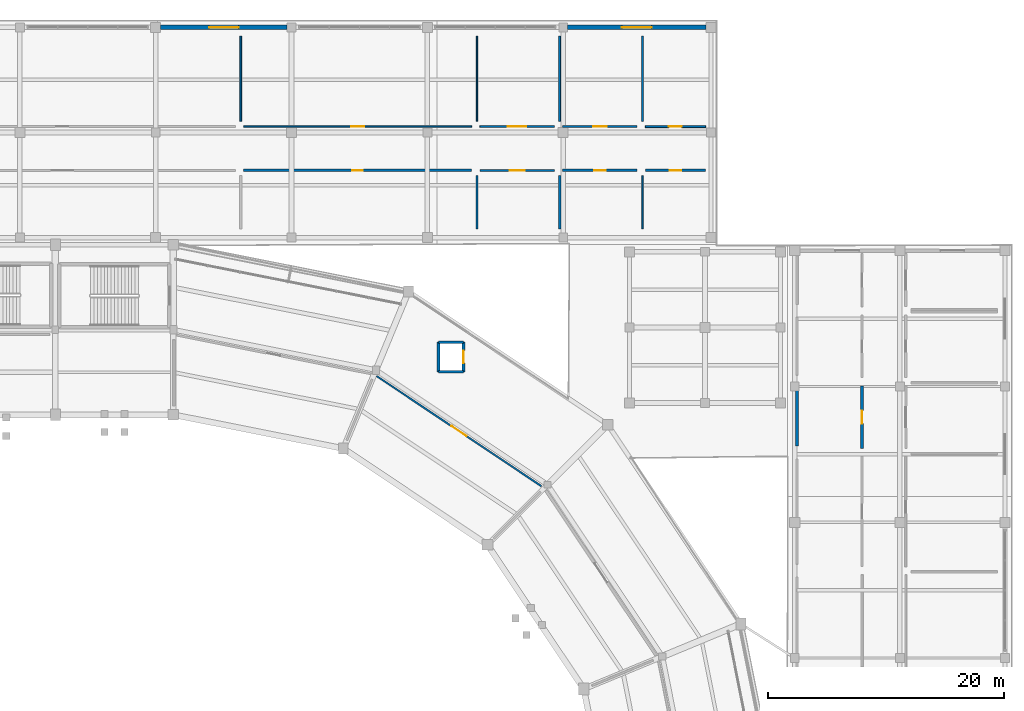
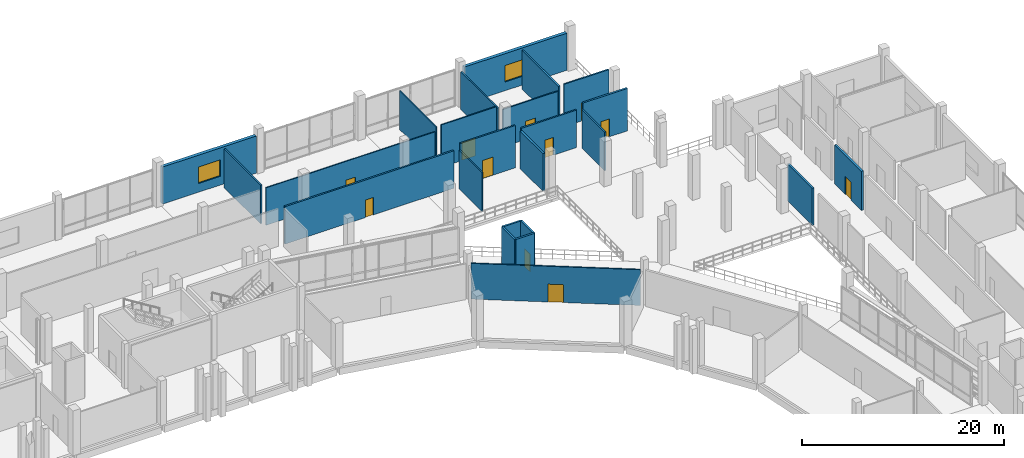
# One storey, part 84 of 114: 24 walls, 11 doors, 2 windows, 13 openings.
"""IFC4 building model written with IfcOpenShell, lengths in metres."""

import ifcopenshell
import ifcopenshell.guid

model = None  # the IFC model being written
_history = None  # IfcOwnerHistory: only IFC2X3 demands one
_inside = {}  # id of a spatial element -> (the spatial element, [elements in it])
_under = {}  # id of a project, library or spatial element -> (it, [spatial elements below it])
_declared = {}  # id of a project -> (the project, [libraries it declares])
_typed = {}  # id of a type object -> (the type object, [elements of that type])
_made_of = {}  # id of a material, layer set ... -> (it, [elements and type objects made of it])


def new_model(schema):
    """Start an empty IFC model of exactly this schema.

    Asked for "IFC4X3", IfcOpenShell would pick the latest addendum, in which some entities
    have other attributes; the version numbers below select the first issue.
    IFC2X3 requires an IfcOwnerHistory on every rooted entity: one is made here for all.
    """
    global model, _history
    if schema == "IFC4X3":
        model = ifcopenshell.file(schema_version=(4, 3, 0, 0))
    else:
        model = ifcopenshell.file(schema=schema)
    _inside.clear()
    _under.clear()
    _declared.clear()
    _typed.clear()
    _made_of.clear()
    _history = None
    if model.schema == "IFC2X3":
        org = make("IfcOrganization", Name="unknown")
        user = make(
            "IfcPersonAndOrganization",
            ThePerson=make("IfcPerson", FamilyName="unknown"),
            TheOrganization=org,
        )
        app = make(
            "IfcApplication",
            ApplicationDeveloper=org,
            Version="unknown",
            ApplicationFullName="unknown",
            ApplicationIdentifier="unknown",
        )
        _history = make(
            "IfcOwnerHistory",
            OwningUser=user,
            OwningApplication=app,
            ChangeAction="ADDED",
            CreationDate=0,
        )
    return model


def make(cls, **values):
    """One entity of the class cls with the attributes given. An attribute that is None is left unset."""
    return model.create_entity(
        cls, **{name: value for name, value in values.items() if value is not None}
    )


def rooted(cls, **values):
    """An entity with a GlobalId (a new one), such as an element, a storey or a relation."""
    return make(cls, GlobalId=ifcopenshell.guid.new(), OwnerHistory=_history, **values)


def si_unit(unit_type, name, prefix=None):
    """IfcSIUnit, for example si_unit("LENGTHUNIT", "METRE", prefix="MILLI")."""
    return make("IfcSIUnit", UnitType=unit_type, Prefix=prefix, Name=name)


def assignment(units):
    """IfcUnitAssignment: the units of a project."""
    return None if units is None else make("IfcUnitAssignment", Units=units)


def point(xyz):
    """IfcCartesianPoint."""
    return None if xyz is None else make("IfcCartesianPoint", Coordinates=xyz)


def direction(xyz):
    """IfcDirection."""
    return None if xyz is None else make("IfcDirection", DirectionRatios=xyz)


def frame(location, z_axis=None, x_axis=None):
    """IfcAxis2Placement3D, a coordinate frame: its origin and axes. An axis left out is left unset."""
    return make(
        "IfcAxis2Placement3D",
        Location=point(location),
        Axis=direction(z_axis),
        RefDirection=direction(x_axis),
    )


def frame_2d(location, x_axis=None):
    """IfcAxis2Placement2D, a coordinate frame in the plane: its origin and x axis."""
    return make(
        "IfcAxis2Placement2D", Location=point(location), RefDirection=direction(x_axis)
    )


def origin():
    """The frame at (0, 0, 0) with its axes left unset."""
    return frame((0.0, 0.0, 0.0))


def place(relative_to, where):
    """IfcLocalPlacement: puts the frame where relative to a parent placement (None: the world)."""
    return make(
        "IfcLocalPlacement", PlacementRelTo=relative_to, RelativePlacement=where
    )


def context(
    kind, dimensions, precision=None, world=None, true_north=None, identifier=None
):
    """IfcGeometricRepresentationContext, for example the 3D "Model" context."""
    return make(
        "IfcGeometricRepresentationContext",
        ContextIdentifier=identifier,
        ContextType=kind,
        CoordinateSpaceDimension=dimensions,
        Precision=precision,
        WorldCoordinateSystem=world,
        TrueNorth=true_north,
    )


def subcontext(parent, identifier, kind, view, scale=None):
    """IfcGeometricRepresentationSubContext, for example "Body" below "Model"."""
    return make(
        "IfcGeometricRepresentationSubContext",
        ContextIdentifier=identifier,
        ContextType=kind,
        ParentContext=parent,
        TargetScale=scale,
        TargetView=view,
    )


def project(units=None, contexts=None):
    """IfcProject with its units and contexts."""
    return rooted(
        "IfcProject",
        Name="project",
        RepresentationContexts=contexts,
        UnitsInContext=assignment(units),
    )


def spatial(cls, under=None, at=None, **own):
    """A site, building, storey or space (cls), placed at a placement, below another one or the project."""
    s = rooted(cls, ObjectPlacement=at, **own)
    if under is not None:
        _under.setdefault(under.id(), (under, []))[1].append(s)
    return s


def profile(cls, at=None, kind="AREA", **sizes):
    """A parametric profile (cls). Its sizes go by their IFC names, for example OverallWidth=200.0."""
    return make(cls, ProfileType=kind, Position=at, **sizes)


def rectangle(**sizes):
    """IfcRectangleProfileDef."""
    return profile("IfcRectangleProfileDef", **sizes)


def extrude(swept, where, along, depth):
    """IfcExtrudedAreaSolid: the profile swept, set in the frame where, extruded along a direction by depth."""
    return make(
        "IfcExtrudedAreaSolid",
        SweptArea=swept,
        Position=where,
        ExtrudedDirection=direction(along),
        Depth=depth,
    )


def shape(context_of_items, identifier, shape_type, items):
    """IfcShapeRepresentation: the items that make up one representation, for example the "Body"."""
    return make(
        "IfcShapeRepresentation",
        ContextOfItems=context_of_items,
        RepresentationIdentifier=identifier,
        RepresentationType=shape_type,
        Items=items,
    )


def material(Name=None, Category=None):
    """IfcMaterial."""
    return make("IfcMaterial", Name=Name, Category=Category)


def layer(
    of_material, thickness, ventilated=None, Name=None, Category=None, Priority=None
):
    """IfcMaterialLayer: one layer of a wall or slab, of a material (None: an air gap)."""
    return make(
        "IfcMaterialLayer",
        Material=of_material,
        LayerThickness=thickness,
        IsVentilated=ventilated,
        Name=Name,
        Category=Category,
        Priority=Priority,
    )


def layer_set(layers, Name=None):
    """IfcMaterialLayerSet."""
    return make("IfcMaterialLayerSet", MaterialLayers=layers, LayerSetName=Name)


def made_of(thing, what):
    """Note that an element or type object is made of a material, layer set ...; save() writes the relation."""
    if what is not None:
        _made_of.setdefault(what.id(), (what, []))[1].append(thing)
    return thing


def type_object(cls, material=None, **own):
    """A type object (cls), such as IfcWallType, which elements share."""
    return made_of(rooted(cls, **own), material)


def element(
    cls,
    number,
    at=None,
    inside=None,
    cuts=None,
    type_object=None,
    material=None,
    context=None,
    identifier="Body",
    shape_type=None,
    held_by="IfcProductDefinitionShape",
    body=None,
    shapes=None,
    **own,
):
    """One element of the class cls, such as IfcWall. Its Tag is "e" and its number.

    at: its placement. inside: the storey or other place that contains it. cuts: it is an
    opening in that element (IfcRelVoidsElement). A single representation is given by context,
    identifier, shape_type and body (its items); several are given by shapes. held_by: the class
    of the entity that holds the representations. save() writes the other relations.
    """
    e = rooted(cls, Tag="e%d" % number, ObjectPlacement=at, **own)
    if body is not None:
        shapes = [shape(context, identifier, shape_type, body)]
    if shapes is not None:
        e.Representation = make(held_by, Representations=shapes)
    if inside is not None:
        _inside.setdefault(inside.id(), (inside, []))[1].append(e)
    if cuts is not None:
        rooted(
            "IfcRelVoidsElement", RelatingBuildingElement=cuts, RelatedOpeningElement=e
        )
    if type_object is not None:
        _typed.setdefault(type_object.id(), (type_object, []))[1].append(e)
    return made_of(e, material)


def fill(opening, filler):
    """IfcRelFillsElement: the door or window that sits in an opening."""
    return rooted(
        "IfcRelFillsElement",
        RelatingOpeningElement=opening,
        RelatedBuildingElement=filler,
    )


def aggregate(whole, parts):
    """IfcRelAggregates: a whole, such as a stair, and the parts it consists of."""
    return rooted("IfcRelAggregates", RelatingObject=whole, RelatedObjects=parts)


def save(model, path):
    """Write the relations noted so far, then the file.

    IfcRelAggregates (storeys below a building ...), IfcRelContainedInSpatialStructure (elements
    in a storey), IfcRelDefinesByType, IfcRelAssociatesMaterial and IfcRelDeclares: one each for
    every whole, place, type object, material and project.
    """
    for whole, parts in _under.values():
        aggregate(whole, parts)
    for where, things in _inside.values():
        rooted(
            "IfcRelContainedInSpatialStructure",
            RelatedElements=things,
            RelatingStructure=where,
        )
    for kind, things in _typed.values():
        rooted("IfcRelDefinesByType", RelatedObjects=things, RelatingType=kind)
    for what, things in _made_of.values():
        rooted("IfcRelAssociatesMaterial", RelatedObjects=things, RelatingMaterial=what)
    for by, libraries in _declared.values():
        rooted("IfcRelDeclares", RelatingContext=by, RelatedDefinitions=libraries)
    model.write(path)


model = new_model("IFC4")

# Units and contexts
model_context = context("Model", 3, precision=1e-05, world=origin(), true_north=direction((0.0, 1.0)))
body_context = subcontext(model_context, "Body", "Model", "MODEL_VIEW")
ifc_project = project(units=[si_unit("LENGTHUNIT", "METRE"), si_unit("AREAUNIT", "SQUARE_METRE"), si_unit("VOLUMEUNIT", "CUBIC_METRE"), si_unit("PLANEANGLEUNIT", "RADIAN"), si_unit("MASSUNIT", "GRAM", prefix="KILO")], contexts=[model_context])

# Site, building, storey
site_placement = place(None, origin())
site = spatial("IfcSite", under=ifc_project, at=site_placement, CompositionType="ELEMENT")
building_placement = place(site_placement, origin())
building = spatial("IfcBuilding", under=site, at=building_placement, Name="Candeia Ridge Stadium", CompositionType="ELEMENT")
storey_placement = place(building_placement, frame((0.0, 0.0, 5.39990234375)))
storey = spatial("IfcBuildingStorey", under=building, at=storey_placement, Name="L01", CompositionType="ELEMENT", Elevation=5.39990234375)

# Wall, opening, door
ifc_material_1 = material(Name="Gypsum Metal-Stud Partition", Category="gypsum")
ifc_layer_1 = layer(ifc_material_1, 0.14501953125, Name="Gypsum Metal-Stud Partition", Category="gypsum")
ifc_layer_set_1 = layer_set([ifc_layer_1], Name="Gypsum Metal-Stud Partition")
wall_type_1 = type_object("IfcWallType", Name="Athlete Recovery Partition 145", PredefinedType="PARTITIONING", material=ifc_layer_set_1)
wall_1_placement = place(storey_placement, frame((173.25, 157.0, 0.0), z_axis=(0.0, 0.0, 1.0), x_axis=(-1.0, 0.0, 0.0)))
wall_1 = element("IfcWall", 1, at=wall_1_placement, inside=storey, type_object=wall_type_1, Name="Interior partition PT-L01-0266", PredefinedType="PARTITIONING", context=body_context, shape_type="SweptSolid", body=[
    extrude(rectangle(XDim=6.300048828125, YDim=0.14501953125, at=frame_2d((3.14990234375, 0.0))), origin(), (0.0, 0.0, 1.0), 5.1201171875),
])
opening_1_placement = place(wall_1_placement, frame((2.375, 0.0, 0.0)))
opening_1 = element("IfcOpeningElement", 2, at=opening_1_placement, cuts=wall_1, Name="Opening ID14", PredefinedType="OPENING", context=body_context, shape_type="SweptSolid", body=[
    extrude(rectangle(XDim=1.550048828125, YDim=2.14990234375, at=frame_2d((0.77490234375, 1.074951171875))), frame((0.0, 0.08251953125, 0.0), z_axis=(0.0, -1.0, 0.0), x_axis=(1.0, 0.0, 0.0)), (0.0, 0.0, 1.0), 0.1650390625),
])
ifc_material_2 = material(Name="Brushed Stainless Steel", Category="steel")
door_type_1 = type_object("IfcDoorType", Name="Catering Kitchen Double Door 1550x2150", OperationType="NOTDEFINED", PredefinedType="DOOR", material=ifc_material_2)
door_1_placement = place(opening_1_placement, origin())
door_1 = element("IfcDoor", 3, at=door_1_placement, inside=storey, type_object=door_type_1, Name="Interior room door D-L01-0138", OperationType="DOUBLE_DOOR_SINGLE_SWING", OverallHeight=2.14990234375, OverallWidth=1.550048828125, PredefinedType="DOOR", context=body_context, shape_type="SweptSolid", body=[
    extrude(rectangle(XDim=1.550048828125, YDim=2.14990234375, at=frame_2d((0.77490234375, 1.074951171875))), frame((0.0, 0.02490234375, 0.0), z_axis=(0.0, -1.0, 0.0), x_axis=(1.0, 0.0, 0.0)), (0.0, 0.0, 1.0), 0.050048828125),
])
fill(opening_1, door_1)

# Wall
wall_2_placement = place(storey_placement, frame((180.699951171875, 148.35009765625, 0.0), z_axis=(0.0, 0.0, 1.0), x_axis=(0.0, 1.0, 0.0)))
element("IfcWall", 4, at=wall_2_placement, inside=storey, type_object=wall_type_1, Name="Demising partition PT-L01-0273", PredefinedType="PARTITIONING", context=body_context, shape_type="SweptSolid", body=[
    extrude(rectangle(XDim=4.5, YDim=0.14501953125, at=frame_2d((2.25, 0.0))), origin(), (0.0, 0.0, 1.0), 4.675048828125),
])

# Wall, opening, door
wall_3_placement = place(storey_placement, frame((158.198974609375, 135.88134765625, 0.0), z_axis=(0.0, 0.0, 1.0), x_axis=(0.831472453136, -0.555565981388, 0.0)))
wall_3 = element("IfcWall", 5, at=wall_3_placement, inside=storey, type_object=wall_type_1, Name="Interior partition PT-L01-0332", PredefinedType="PARTITIONING", context=body_context, shape_type="SweptSolid", body=[
    extrude(rectangle(XDim=16.783203125, YDim=0.14501953125, at=frame_2d((8.3916015625, 0.0))), origin(), (0.0, 0.0, 1.0), 4.30517578125),
])
opening_2_placement = place(wall_3_placement, frame((7.61669921875, 0.0, 0.0)))
opening_2 = element("IfcOpeningElement", 6, at=opening_2_placement, cuts=wall_3, Name="Opening ID14", PredefinedType="OPENING", context=body_context, shape_type="SweptSolid", body=[
    extrude(rectangle(XDim=1.550048828125, YDim=2.14990234375, at=frame_2d((0.77490234375, 1.074951171875))), frame((0.0, 0.08251953125, 0.0), z_axis=(0.0, -1.0, 0.0), x_axis=(1.0, 0.0, 0.0)), (0.0, 0.0, 1.0), 0.1650390625),
])
door_2_placement = place(opening_2_placement, origin())
door_2 = element("IfcDoor", 7, at=door_2_placement, inside=storey, type_object=door_type_1, Name="Interior room door D-L01-0171", OperationType="DOUBLE_DOOR_SINGLE_SWING", OverallHeight=2.14990234375, OverallWidth=1.550048828125, PredefinedType="DOOR", context=body_context, shape_type="SweptSolid", body=[
    extrude(rectangle(XDim=1.550048828125, YDim=2.14990234375, at=frame_2d((0.77490234375, 1.074951171875))), frame((0.0, 0.02490234375, 0.0), z_axis=(0.0, -1.0, 0.0), x_axis=(1.0, 0.0, 0.0)), (0.0, 0.0, 1.0), 0.050048828125),
])
fill(opening_2, door_2)

# Wall
ifc_material_3 = material(Name="Gypsum Acoustic Twin-Stud Assembly", Category="gypsum")
ifc_layer_2 = layer(ifc_material_3, 0.159912109375, Name="Gypsum Acoustic Twin-Stud Assembly", Category="gypsum")
ifc_layer_set_2 = layer_set([ifc_layer_2], Name="Gypsum Acoustic Twin-Stud Assembly")
wall_type_2 = type_object("IfcWallType", Name="Club Dining Acoustic Partition 160", PredefinedType="PARTITIONING", material=ifc_layer_set_2)
wall_4_placement = place(storey_placement, frame((173.699951171875, 157.449951171875, 0.0), z_axis=(0.0, 0.0, 1.0), x_axis=(0.0, 1.0, 0.0)))
element("IfcWall", 8, at=wall_4_placement, inside=storey, type_object=wall_type_2, Name="Demising partition PT-L01-0271", PredefinedType="PARTITIONING", context=body_context, shape_type="SweptSolid", body=[
    extrude(rectangle(XDim=7.199951171875, YDim=0.159912109375, at=frame_2d((3.60009765625, 0.0))), origin(), (0.0, 0.0, 1.0), 4.525146484375),
])

# Wall, opening, door
wall_5_placement = place(storey_placement, frame((186.050048828125, 157.0, 0.0), z_axis=(0.0, 0.0, 1.0), x_axis=(-1.0, 0.0, 0.0)))
wall_5 = element("IfcWall", 9, at=wall_5_placement, inside=storey, type_object=wall_type_2, Name="Interior partition PT-L01-0274", PredefinedType="PARTITIONING", context=body_context, shape_type="SweptSolid", body=[
    extrude(rectangle(XDim=5.10009765625, YDim=0.159912109375, at=frame_2d((2.550048828125, 0.0))), origin(), (0.0, 0.0, 1.0), 5.1201171875),
])
opening_3_placement = place(wall_5_placement, frame((2.0, 0.0, 0.0)))
opening_3 = element("IfcOpeningElement", 10, at=opening_3_placement, cuts=wall_5, Name="Opening FD04", PredefinedType="OPENING", context=body_context, shape_type="SweptSolid", body=[
    extrude(rectangle(XDim=1.10009765625, YDim=2.14990234375, at=frame_2d((0.550048828125, 1.074951171875))), frame((0.0, 0.08984375, 0.0), z_axis=(0.0, -1.0, 0.0), x_axis=(1.0, 0.0, 0.0)), (0.0, 0.0, 1.0), 0.179931640625),
])
ifc_material_4 = material(Name="Galvanized Fire-Rated Steel", Category="steel")
door_type_2 = type_object("IfcDoorType", Name="Plant & Riser Rated Door 1100x2150", OperationType="NOTDEFINED", PredefinedType="DOOR", material=ifc_material_4)
door_3_placement = place(opening_3_placement, origin())
door_3 = element("IfcDoor", 11, at=door_3_placement, inside=storey, type_object=door_type_2, Name="Interior room door D-L01-0142", OperationType="SINGLE_SWING_RIGHT", OverallHeight=2.14990234375, OverallWidth=1.10009765625, PredefinedType="DOOR", context=body_context, shape_type="SweptSolid", body=[
    extrude(rectangle(XDim=1.10009765625, YDim=2.14990234375, at=frame_2d((0.550048828125, 1.074951171875))), frame((0.0, 0.02490234375, 0.0), z_axis=(0.0, -1.0, 0.0), x_axis=(1.0, 0.0, 0.0)), (0.0, 0.0, 1.0), 0.050048828125),
])
fill(opening_3, door_3)

# Wall
ifc_material_5 = material(Name="Concrete Masonry Blockwork C25/30", Category="masonry")
ifc_layer_3 = layer(ifc_material_5, 0.14990234375, Name="Concrete Masonry Blockwork C25/30", Category="masonry")
ifc_layer_set_3 = layer_set([ifc_layer_3], Name="Concrete Masonry Blockwork C25/30")
wall_type_3 = type_object("IfcWallType", Name="Concourse Kiosk Partition 150", PredefinedType="PARTITIONING", material=ifc_layer_set_3)
wall_6_placement = place(storey_placement, frame((166.699951171875, 148.35009765625, 0.0), z_axis=(0.0, 0.0, 1.0), x_axis=(0.0, 1.0, 0.0)))
element("IfcWall", 12, at=wall_6_placement, inside=storey, type_object=wall_type_3, Name="Demising partition PT-L01-0265", PredefinedType="PARTITIONING", context=body_context, shape_type="SweptSolid", body=[
    extrude(rectangle(XDim=4.5, YDim=0.14990234375, at=frame_2d((2.25, 0.0))), origin(), (0.0, 0.0, 1.0), 4.675048828125),
])

# Wall, opening, door
wall_7_placement = place(storey_placement, frame((180.25, 157.0, 0.0), z_axis=(0.0, 0.0, 1.0), x_axis=(-1.0, 0.0, 0.0)))
wall_7 = element("IfcWall", 13, at=wall_7_placement, inside=storey, type_object=wall_type_3, Name="Interior partition PT-L01-0270", PredefinedType="PARTITIONING", context=body_context, shape_type="SweptSolid", body=[
    extrude(rectangle(XDim=6.300048828125, YDim=0.14990234375, at=frame_2d((3.14990234375, 0.0))), origin(), (0.0, 0.0, 1.0), 4.525146484375),
])
opening_4_placement = place(wall_7_placement, frame((2.574951171875, 0.0, 0.0)))
opening_4 = element("IfcOpeningElement", 14, at=opening_4_placement, cuts=wall_7, Name="Opening ID02", PredefinedType="OPENING", context=body_context, shape_type="SweptSolid", body=[
    extrude(rectangle(XDim=1.14990234375, YDim=2.199951171875, at=frame_2d((0.574951171875, 1.10009765625))), frame((0.0, 0.0849609375, 0.0), z_axis=(0.0, -1.0, 0.0), x_axis=(1.0, 0.0, 0.0)), (0.0, 0.0, 1.0), 0.169921875),
])
ifc_material_6 = material(Name="Acoustic Timber Studio Leaf", Category="wood")
door_type_3 = type_object("IfcDoorType", Name="Broadcast & Press Studio Door 1150x2200", OperationType="NOTDEFINED", PredefinedType="DOOR", material=ifc_material_6)
door_4_placement = place(opening_4_placement, frame((1.14990234375, 0.0, 0.0), z_axis=(0.0, 0.0, 1.0), x_axis=(-1.0, 0.0, 0.0)))
door_4 = element("IfcDoor", 15, at=door_4_placement, inside=storey, type_object=door_type_3, Name="Interior room door D-L01-0140", OperationType="SINGLE_SWING_RIGHT", OverallHeight=2.199951171875, OverallWidth=1.14990234375, PredefinedType="DOOR", context=body_context, shape_type="SweptSolid", body=[
    extrude(rectangle(XDim=1.14990234375, YDim=2.199951171875, at=frame_2d((0.574951171875, 1.10009765625))), frame((0.0, 0.02490234375, 0.0), z_axis=(0.0, -1.0, 0.0), x_axis=(1.0, 0.0, 0.0)), (0.0, 0.0, 1.0), 0.050048828125),
])
fill(opening_4, door_4)

ifc_layer_4 = layer(ifc_material_3, 0.179931640625, Name="Gypsum Acoustic Twin-Stud Assembly", Category="gypsum")
ifc_layer_set_4 = layer_set([ifc_layer_4], Name="Gypsum Acoustic Twin-Stud Assembly")
wall_type_4 = type_object("IfcWallType", Name="Corridor Fire Partition 180", PredefinedType="PARTITIONING", material=ifc_layer_set_4)
wall_8_placement = place(storey_placement, frame((173.949951171875, 153.300048828125, 0.0), z_axis=(0.0, 0.0, 1.0), x_axis=(1.0, 0.0, 0.0)))
wall_8 = element("IfcWall", 16, at=wall_8_placement, inside=storey, type_object=wall_type_4, Name="Interior partition PT-L01-0268", PredefinedType="PARTITIONING", context=body_context, shape_type="SweptSolid", body=[
    extrude(rectangle(XDim=6.300048828125, YDim=0.179931640625, at=frame_2d((3.14990234375, 0.0))), origin(), (0.0, 0.0, 1.0), 4.525146484375),
])
opening_5_placement = place(wall_8_placement, frame((2.669921875, 0.0, 0.0)))
opening_5 = element("IfcOpeningElement", 17, at=opening_5_placement, cuts=wall_8, Name="Opening ID17", PredefinedType="OPENING", context=body_context, shape_type="SweptSolid", body=[
    extrude(rectangle(XDim=0.9599609375, YDim=2.14990234375, at=frame_2d((0.47998046875, 1.074951171875))), frame((0.0, 0.099853515625, 0.0), z_axis=(0.0, -1.0, 0.0), x_axis=(1.0, 0.0, 0.0)), (0.0, 0.0, 1.0), 0.199951171875),
])
ifc_material_7 = material(Name="Solid Core Cedar Veneer", Category="wood")
door_type_4 = type_object("IfcDoorType", Name="Ticketing Office Single Door 960x2150", OperationType="NOTDEFINED", PredefinedType="DOOR", material=ifc_material_7)
door_5_placement = place(opening_5_placement, frame((0.9599609375, 0.0, 0.0), z_axis=(0.0, 0.0, 1.0), x_axis=(-1.0, 0.0, 0.0)))
door_5 = element("IfcDoor", 18, at=door_5_placement, inside=storey, type_object=door_type_4, Name="Interior room door D-L01-0139", OperationType="SINGLE_SWING_LEFT", OverallHeight=2.14990234375, OverallWidth=0.9599609375, PredefinedType="DOOR", context=body_context, shape_type="SweptSolid", body=[
    extrude(rectangle(XDim=0.9599609375, YDim=2.14990234375, at=frame_2d((0.47998046875, 1.074951171875))), frame((0.0, 0.02490234375, 0.0), z_axis=(0.0, -1.0, 0.0), x_axis=(1.0, 0.0, 0.0)), (0.0, 0.0, 1.0), 0.050048828125),
])
fill(opening_5, door_5)

ifc_material_8 = material(Name="Moisture-Resistant Masonry & Tile", Category="masonry")
ifc_layer_5 = layer(ifc_material_8, 0.22998046875, Name="Moisture-Resistant Masonry & Tile", Category="masonry")
ifc_layer_set_5 = layer_set([ifc_layer_5], Name="Moisture-Resistant Masonry & Tile")
wall_type_5 = type_object("IfcWallType", Name="Dressing Suite Wet-Wall Chase 230", PredefinedType="PLUMBINGWALL", material=ifc_layer_set_5)
wall_9_placement = place(storey_placement, frame((199.300048828125, 135.050048828125, 0.0), z_axis=(0.0, 0.0, 1.0), x_axis=(0.0, -1.0, 0.0)))
wall_9 = element("IfcWall", 19, at=wall_9_placement, inside=storey, type_object=wall_type_5, Name="Interior partition PT-L01-0212", PredefinedType="PLUMBINGWALL", context=body_context, shape_type="SweptSolid", body=[
    extrude(rectangle(XDim=5.300048828125, YDim=0.22998046875, at=frame_2d((2.64990234375, 0.0))), origin(), (0.0, 0.0, 1.0), 4.715087890625),
])
opening_6_placement = place(wall_9_placement, frame((2.10009765625, 0.0, 0.0)))
opening_6 = element("IfcOpeningElement", 20, at=opening_6_placement, cuts=wall_9, Name="Opening FD04", PredefinedType="OPENING", context=body_context, shape_type="SweptSolid", body=[
    extrude(rectangle(XDim=1.10009765625, YDim=2.14990234375, at=frame_2d((0.550048828125, 1.074951171875))), frame((0.0, 0.125, 0.0), z_axis=(0.0, -1.0, 0.0), x_axis=(1.0, 0.0, 0.0)), (0.0, 0.0, 1.0), 0.25),
])
door_6_placement = place(opening_6_placement, frame((1.10009765625, 0.0, 0.0), z_axis=(0.0, 0.0, 1.0), x_axis=(-1.0, 0.0, 0.0)))
door_6 = element("IfcDoor", 21, at=door_6_placement, inside=storey, type_object=door_type_2, Name="Interior room door D-L01-0111", OperationType="SINGLE_SWING_LEFT", OverallHeight=2.14990234375, OverallWidth=1.10009765625, PredefinedType="DOOR", context=body_context, shape_type="SweptSolid", body=[
    extrude(rectangle(XDim=1.10009765625, YDim=2.14990234375, at=frame_2d((0.550048828125, 1.074951171875))), frame((0.0, 0.02490234375, 0.0), z_axis=(0.0, -1.0, 0.0), x_axis=(1.0, 0.0, 0.0)), (0.0, 0.0, 1.0), 0.050048828125),
])
fill(opening_6, door_6)

# Walls
wall_10_placement = place(storey_placement, frame((193.800048828125, 129.949951171875, 0.0), z_axis=(0.0, 0.0, 1.0), x_axis=(0.0, 1.0, 0.0)))
element("IfcWall", 22, at=wall_10_placement, inside=storey, type_object=wall_type_5, Name="Demising partition PT-L01-0213", PredefinedType="PLUMBINGWALL", context=body_context, shape_type="SweptSolid", body=[
    extrude(rectangle(XDim=4.900146484375, YDim=0.22998046875, at=frame_2d((2.4501953125, 0.0))), origin(), (0.0, 0.0, 1.0), 4.47509765625),
])
wall_11_placement = place(storey_placement, frame((173.699951171875, 148.35009765625, 0.0), z_axis=(0.0, 0.0, 1.0), x_axis=(0.0, 1.0, 0.0)))
element("IfcWall", 23, at=wall_11_placement, inside=storey, type_object=wall_type_5, Name="Demising partition PT-L01-0269", PredefinedType="PLUMBINGWALL", context=body_context, shape_type="SweptSolid", body=[
    extrude(rectangle(XDim=4.5, YDim=0.22998046875, at=frame_2d((2.25, 0.0))), origin(), (0.0, 0.0, 1.0), 4.525146484375),
])

# Wall, opening, window
ifc_material_9 = material(Name="Concrete C40/50", Category="concrete")
ifc_layer_6 = layer(ifc_material_9, 0.360107421875, Name="Concrete C40/50", Category="concrete")
ifc_layer_set_6 = layer_set([ifc_layer_6], Name="Concrete C40/50")
wall_type_6 = type_object("IfcWallType", Name="Exterior Basalt Plinth Wall 360", PredefinedType="SOLIDWALL", material=ifc_layer_set_6)
wall_12_placement = place(storey_placement, frame((139.9130859375, 165.39990234375, 0.0), z_axis=(0.0, 0.0, 1.0), x_axis=(1.0, 0.0, 0.0)))
wall_12 = element("IfcWall", 24, at=wall_12_placement, inside=storey, type_object=wall_type_6, Name="Exterior facade wall EW-L01-0206", PredefinedType="SOLIDWALL", context=body_context, shape_type="SweptSolid", body=[
    extrude(rectangle(XDim=10.723876953125, YDim=0.360107421875, at=frame_2d((5.36181640625, 0.0))), origin(), (0.0, 0.0, 1.0), 4.47509765625),
])
opening_7_placement = place(wall_12_placement, frame((4.112060546875, 0.0, 1.050048828125)))
opening_7 = element("IfcOpeningElement", 25, at=opening_7_placement, cuts=wall_12, Name="Opening W13", PredefinedType="OPENING", context=body_context, shape_type="SweptSolid", body=[
    extrude(rectangle(XDim=2.5, YDim=2.0, at=frame_2d((1.25, 1.0))), frame((0.0, 0.18994140625, 0.0), z_axis=(0.0, -1.0, 0.0), x_axis=(1.0, 0.0, 0.0)), (0.0, 0.0, 1.0), 0.380126953125),
])
ifc_material_10 = material(Name="Tempered Solar-Control Double Glazing", Category="glass")
window_type = type_object("IfcWindowType", Name="Ticketing Hall Window 2500x2000", PartitioningType="SINGLE_PANEL", PredefinedType="WINDOW", material=ifc_material_10)
window_1_placement = place(opening_7_placement, origin())
window_1 = element("IfcWindow", 26, at=window_1_placement, inside=storey, type_object=window_type, Name="Exterior window WIN-L01-113", OverallHeight=2.0, OverallWidth=2.5, PartitioningType="SINGLE_PANEL", PredefinedType="WINDOW", context=body_context, shape_type="SweptSolid", body=[
    extrude(rectangle(XDim=2.5, YDim=2.0, at=frame_2d((1.25, 1.0))), frame((0.0, 0.030029296875, 0.0), z_axis=(0.0, -1.0, 0.0), x_axis=(1.0, 0.0, 0.0)), (0.0, 0.0, 1.0), 0.06005859375),
])
fill(opening_7, window_1)

wall_13_placement = place(storey_placement, frame((174.363037109375, 165.39990234375, 0.0), z_axis=(0.0, 0.0, 1.0), x_axis=(1.0, 0.0, 0.0)))
wall_13 = element("IfcWall", 27, at=wall_13_placement, inside=storey, type_object=wall_type_6, Name="Exterior facade wall EW-L01-0207", PredefinedType="SOLIDWALL", context=body_context, shape_type="SweptSolid", body=[
    extrude(rectangle(XDim=11.723876953125, YDim=0.360107421875, at=frame_2d((5.86181640625, 0.0))), origin(), (0.0, 0.0, 1.0), 4.47509765625),
])
opening_8_placement = place(wall_13_placement, frame((4.612060546875, 0.0, 1.050048828125)))
opening_8 = element("IfcOpeningElement", 28, at=opening_8_placement, cuts=wall_13, Name="Opening W13", PredefinedType="OPENING", context=body_context, shape_type="SweptSolid", body=[
    extrude(rectangle(XDim=2.5, YDim=2.0, at=frame_2d((1.25, 1.0))), frame((0.0, 0.18994140625, 0.0), z_axis=(0.0, -1.0, 0.0), x_axis=(1.0, 0.0, 0.0)), (0.0, 0.0, 1.0), 0.380126953125),
])
window_2_placement = place(opening_8_placement, origin())
window_2 = element("IfcWindow", 29, at=window_2_placement, inside=storey, type_object=window_type, Name="Exterior window WIN-L01-114", OverallHeight=2.0, OverallWidth=2.5, PartitioningType="SINGLE_PANEL", PredefinedType="WINDOW", context=body_context, shape_type="SweptSolid", body=[
    extrude(rectangle(XDim=2.5, YDim=2.0, at=frame_2d((1.25, 1.0))), frame((0.0, 0.030029296875, 0.0), z_axis=(0.0, -1.0, 0.0), x_axis=(1.0, 0.0, 0.0)), (0.0, 0.0, 1.0), 0.06005859375),
])
fill(opening_8, window_2)

# Walls
ifc_layer_7 = layer(ifc_material_3, 0.1650390625, Name="Gypsum Acoustic Twin-Stud Assembly", Category="gypsum")
ifc_layer_set_7 = layer_set([ifc_layer_7], Name="Gypsum Acoustic Twin-Stud Assembly")
wall_type_7 = type_object("IfcWallType", Name="Hospitality Suite Acoustic Wall 165", PredefinedType="PARTITIONING", material=ifc_layer_set_7)
wall_14_placement = place(storey_placement, frame((146.699951171875, 157.449951171875, 0.0), z_axis=(0.0, 0.0, 1.0), x_axis=(0.0, 1.0, 0.0)))
element("IfcWall", 30, at=wall_14_placement, inside=storey, type_object=wall_type_7, Name="Demising partition PT-L01-0263", PredefinedType="PARTITIONING", context=body_context, shape_type="SweptSolid", body=[
    extrude(rectangle(XDim=7.199951171875, YDim=0.1650390625, at=frame_2d((3.60009765625, 0.0))), origin(), (0.0, 0.0, 1.0), 4.675048828125),
])
ifc_layer_8 = layer(ifc_material_9, 0.219970703125, Name="Concrete C40/50", Category="concrete")
ifc_layer_set_8 = layer_set([ifc_layer_8], Name="Concrete C40/50")
wall_type_8 = type_object("IfcWallType", Name="Lift & Riser Shaft Wall 220", PredefinedType="SHEAR", material=ifc_layer_set_8)
wall_15_placement = place(storey_placement, frame((163.43994140625, 136.239990234375, 0.0), z_axis=(0.0, 0.0, 1.0), x_axis=(1.0, 0.0, 0.0)))
element("IfcWall", 31, at=wall_15_placement, inside=storey, type_object=wall_type_8, Name="Lift EL2 shaft wall L01 south", PredefinedType="SHEAR", context=body_context, shape_type="SweptSolid", body=[
    extrude(rectangle(XDim=2.1201171875, YDim=0.219970703125, at=frame_2d((1.06005859375, 0.0))), origin(), (0.0, 0.0, 1.0), 5.14013671875),
])

# Wall, opening, door
wall_16_placement = place(storey_placement, frame((165.56005859375, 136.239990234375, 0.0), z_axis=(0.0, 0.0, 1.0), x_axis=(0.0, 1.0, 0.0)))
wall_16 = element("IfcWall", 32, at=wall_16_placement, inside=storey, type_object=wall_type_8, Name="Lift EL2 shaft wall L01 east", PredefinedType="SHEAR", context=body_context, shape_type="SweptSolid", body=[
    extrude(rectangle(XDim=2.52001953125, YDim=0.219970703125, at=frame_2d((1.260009765625, 0.0))), origin(), (0.0, 0.0, 1.0), 5.14013671875),
])
opening_9_placement = place(wall_16_placement, frame((0.735107421875, 0.0, 0.0)))
opening_9 = element("IfcOpeningElement", 33, at=opening_9_placement, cuts=wall_16, Name="Opening LD02", PredefinedType="OPENING", context=body_context, shape_type="SweptSolid", body=[
    extrude(rectangle(XDim=1.050048828125, YDim=2.14990234375, at=frame_2d((0.52490234375, 1.074951171875))), frame((0.0, 0.119873046875, 0.0), z_axis=(0.0, -1.0, 0.0), x_axis=(1.0, 0.0, 0.0)), (0.0, 0.0, 1.0), 0.239990234375),
])
door_type_5 = type_object("IfcDoorType", Name="Passenger Lift Landing Door 1050x2150", OperationType="NOTDEFINED", PredefinedType="DOOR", material=ifc_material_2)
door_7_placement = place(opening_9_placement, origin())
door_7 = element("IfcDoor", 34, at=door_7_placement, inside=storey, type_object=door_type_5, Name="Lift landing sliding door LD-EL2-L01", OperationType="DOUBLE_DOOR_SLIDING", OverallHeight=2.14990234375, OverallWidth=1.050048828125, PredefinedType="DOOR", context=body_context, shape_type="SweptSolid", body=[
    extrude(rectangle(XDim=1.050048828125, YDim=2.14990234375, at=frame_2d((0.52490234375, 1.074951171875))), frame((0.0, 0.02490234375, 0.0), z_axis=(0.0, -1.0, 0.0), x_axis=(1.0, 0.0, 0.0)), (0.0, 0.0, 1.0), 0.050048828125),
])
fill(opening_9, door_7)

# Walls
wall_17_placement = place(storey_placement, frame((165.56005859375, 138.760009765625, 0.0), z_axis=(0.0, 0.0, 1.0), x_axis=(-1.0, 0.0, 0.0)))
element("IfcWall", 35, at=wall_17_placement, inside=storey, type_object=wall_type_8, Name="Lift EL2 shaft wall L01 north", PredefinedType="SHEAR", context=body_context, shape_type="SweptSolid", body=[
    extrude(rectangle(XDim=2.1201171875, YDim=0.219970703125, at=frame_2d((1.06005859375, 0.0))), origin(), (0.0, 0.0, 1.0), 5.14013671875),
])
wall_18_placement = place(storey_placement, frame((163.43994140625, 138.760009765625, 0.0), z_axis=(0.0, 0.0, 1.0), x_axis=(0.0, -1.0, 0.0)))
element("IfcWall", 36, at=wall_18_placement, inside=storey, type_object=wall_type_8, Name="Lift EL2 shaft wall L01 west", PredefinedType="SHEAR", context=body_context, shape_type="SweptSolid", body=[
    extrude(rectangle(XDim=2.52001953125, YDim=0.219970703125, at=frame_2d((1.260009765625, 0.0))), origin(), (0.0, 0.0, 1.0), 5.14013671875),
])

# Wall, opening, door
ifc_material_11 = material(Name="Gypsum Acoustic Triple-Board Wall", Category="gypsum")
ifc_layer_9 = layer(ifc_material_11, 0.18994140625, Name="Gypsum Acoustic Triple-Board Wall", Category="gypsum")
ifc_layer_set_9 = layer_set([ifc_layer_9], Name="Gypsum Acoustic Triple-Board Wall")
wall_type_9 = type_object("IfcWallType", Name="Media & Commentary Studio Wall 190", PredefinedType="PARTITIONING", material=ifc_layer_set_9)
wall_19_placement = place(storey_placement, frame((146.949951171875, 153.300048828125, 0.0), z_axis=(0.0, 0.0, 1.0), x_axis=(1.0, 0.0, 0.0)))
wall_19 = element("IfcWall", 37, at=wall_19_placement, inside=storey, type_object=wall_type_9, Name="Interior partition PT-L01-0260", PredefinedType="PARTITIONING", context=body_context, shape_type="SweptSolid", body=[
    extrude(rectangle(XDim=19.300048828125, YDim=0.18994140625, at=frame_2d((9.64990234375, 0.0))), origin(), (0.0, 0.0, 1.0), 4.525146484375),
])
opening_10_placement = place(wall_19_placement, frame((9.199951171875, 0.0, 0.0)))
opening_10 = element("IfcOpeningElement", 38, at=opening_10_placement, cuts=wall_19, Name="Opening ID07", PredefinedType="OPENING", context=body_context, shape_type="SweptSolid", body=[
    extrude(rectangle(XDim=0.89990234375, YDim=2.10009765625, at=frame_2d((0.449951171875, 1.050048828125))), frame((0.0, 0.10498046875, 0.0), z_axis=(0.0, -1.0, 0.0), x_axis=(1.0, 0.0, 0.0)), (0.0, 0.0, 1.0), 0.2099609375),
])
ifc_material_12 = material(Name="Moisture-Resistant Laminate", Category="wood")
door_type_6 = type_object("IfcDoorType", Name="Sanitary Lobby Single Door 900x2100", OperationType="NOTDEFINED", PredefinedType="DOOR", material=ifc_material_12)
door_8_placement = place(opening_10_placement, frame((0.89990234375, 0.0, 0.0), z_axis=(0.0, 0.0, 1.0), x_axis=(-1.0, 0.0, 0.0)))
door_8 = element("IfcDoor", 39, at=door_8_placement, inside=storey, type_object=door_type_6, Name="Interior room door D-L01-0135", OperationType="SINGLE_SWING_RIGHT", OverallHeight=2.10009765625, OverallWidth=0.89990234375, PredefinedType="DOOR", context=body_context, shape_type="SweptSolid", body=[
    extrude(rectangle(XDim=0.89990234375, YDim=2.10009765625, at=frame_2d((0.449951171875, 1.050048828125))), frame((0.0, 0.02490234375, 0.0), z_axis=(0.0, -1.0, 0.0), x_axis=(1.0, 0.0, 0.0)), (0.0, 0.0, 1.0), 0.050048828125),
])
fill(opening_10, door_8)

# Wall
ifc_layer_10 = layer(ifc_material_11, 0.18505859375, Name="Gypsum Acoustic Triple-Board Wall", Category="gypsum")
ifc_layer_set_10 = layer_set([ifc_layer_10], Name="Gypsum Acoustic Triple-Board Wall")
wall_type_10 = type_object("IfcWallType", Name="Media Booth Studio Divider 185", PredefinedType="PARTITIONING", material=ifc_layer_set_10)
wall_20_placement = place(storey_placement, frame((180.699951171875, 157.449951171875, 0.0), z_axis=(0.0, 0.0, 1.0), x_axis=(0.0, 1.0, 0.0)))
element("IfcWall", 40, at=wall_20_placement, inside=storey, type_object=wall_type_10, Name="Demising partition PT-L01-0275", PredefinedType="PARTITIONING", context=body_context, shape_type="SweptSolid", body=[
    extrude(rectangle(XDim=7.199951171875, YDim=0.18505859375, at=frame_2d((3.60009765625, 0.0))), origin(), (0.0, 0.0, 1.0), 4.675048828125),
])

# Wall, opening, door
ifc_layer_11 = layer(ifc_material_3, 0.175048828125, Name="Gypsum Acoustic Twin-Stud Assembly", Category="gypsum")
ifc_layer_set_11 = layer_set([ifc_layer_11], Name="Gypsum Acoustic Twin-Stud Assembly")
wall_type_11 = type_object("IfcWallType", Name="Museum Acoustic Gallery Wall 175", PredefinedType="PARTITIONING", material=ifc_layer_set_11)
wall_21_placement = place(storey_placement, frame((166.949951171875, 153.300048828125, 0.0), z_axis=(0.0, 0.0, 1.0), x_axis=(1.0, 0.0, 0.0)))
wall_21 = element("IfcWall", 41, at=wall_21_placement, inside=storey, type_object=wall_type_11, Name="Interior partition PT-L01-0264", PredefinedType="PARTITIONING", context=body_context, shape_type="SweptSolid", body=[
    extrude(rectangle(XDim=6.300048828125, YDim=0.175048828125, at=frame_2d((3.14990234375, 0.0))), origin(), (0.0, 0.0, 1.0), 5.1201171875),
])
opening_11_placement = place(wall_21_placement, frame((2.52490234375, 0.0, 0.0)))
opening_11 = element("IfcOpeningElement", 42, at=opening_11_placement, cuts=wall_21, Name="Opening ID11", PredefinedType="OPENING", context=body_context, shape_type="SweptSolid", body=[
    extrude(rectangle(XDim=1.25, YDim=2.199951171875, at=frame_2d((0.625, 1.10009765625))), frame((0.0, 0.097412109375, 0.0), z_axis=(0.0, -1.0, 0.0), x_axis=(1.0, 0.0, 0.0)), (0.0, 0.0, 1.0), 0.195068359375),
])
door_type_7 = type_object("IfcDoorType", Name="Press Tribune Acoustic Door 1250x2200", OperationType="NOTDEFINED", PredefinedType="DOOR", material=ifc_material_6)
door_9_placement = place(opening_11_placement, origin())
door_9 = element("IfcDoor", 43, at=door_9_placement, inside=storey, type_object=door_type_7, Name="Interior room door D-L01-0137", OperationType="SINGLE_SWING_RIGHT", OverallHeight=2.199951171875, OverallWidth=1.25, PredefinedType="DOOR", context=body_context, shape_type="SweptSolid", body=[
    extrude(rectangle(XDim=1.25, YDim=2.199951171875, at=frame_2d((0.625, 1.10009765625))), frame((0.0, 0.02490234375, 0.0), z_axis=(0.0, -1.0, 0.0), x_axis=(1.0, 0.0, 0.0)), (0.0, 0.0, 1.0), 0.050048828125),
])
fill(opening_11, door_9)

ifc_layer_12 = layer(ifc_material_8, 0.2099609375, Name="Moisture-Resistant Masonry & Tile", Category="masonry")
ifc_layer_set_12 = layer_set([ifc_layer_12], Name="Moisture-Resistant Masonry & Tile")
wall_type_12 = type_object("IfcWallType", Name="Sanitary Wet-Wall Plumbing Chase 210", PredefinedType="PLUMBINGWALL", material=ifc_layer_set_12)
wall_22_placement = place(storey_placement, frame((180.949951171875, 153.300048828125, 0.0), z_axis=(0.0, 0.0, 1.0), x_axis=(1.0, 0.0, 0.0)))
wall_22 = element("IfcWall", 44, at=wall_22_placement, inside=storey, type_object=wall_type_12, Name="Interior partition PT-L01-0272", PredefinedType="PLUMBINGWALL", context=body_context, shape_type="SweptSolid", body=[
    extrude(rectangle(XDim=5.10009765625, YDim=0.2099609375, at=frame_2d((2.550048828125, 0.0))), origin(), (0.0, 0.0, 1.0), 5.1201171875),
])
opening_12_placement = place(wall_22_placement, frame((2.074951171875, 0.0, 0.0)))
opening_12 = element("IfcOpeningElement", 45, at=opening_12_placement, cuts=wall_22, Name="Opening ID05", PredefinedType="OPENING", context=body_context, shape_type="SweptSolid", body=[
    extrude(rectangle(XDim=0.949951171875, YDim=2.14990234375, at=frame_2d((0.47509765625, 1.074951171875))), frame((0.0, 0.114990234375, 0.0), z_axis=(0.0, -1.0, 0.0), x_axis=(1.0, 0.0, 0.0)), (0.0, 0.0, 1.0), 0.22998046875),
])
door_type_8 = type_object("IfcDoorType", Name="General Room Single Door 950x2150", OperationType="NOTDEFINED", PredefinedType="DOOR", material=ifc_material_7)
door_10_placement = place(opening_12_placement, origin())
door_10 = element("IfcDoor", 46, at=door_10_placement, inside=storey, type_object=door_type_8, Name="Interior room door D-L01-0141", OperationType="SINGLE_SWING_LEFT", OverallHeight=2.14990234375, OverallWidth=0.949951171875, PredefinedType="DOOR", context=body_context, shape_type="SweptSolid", body=[
    extrude(rectangle(XDim=0.949951171875, YDim=2.14990234375, at=frame_2d((0.47509765625, 1.074951171875))), frame((0.0, 0.02490234375, 0.0), z_axis=(0.0, -1.0, 0.0), x_axis=(1.0, 0.0, 0.0)), (0.0, 0.0, 1.0), 0.050048828125),
])
fill(opening_12, door_10)

ifc_layer_13 = layer(ifc_material_1, 0.1201171875, Name="Gypsum Metal-Stud Partition", Category="gypsum")
ifc_layer_set_13 = layer_set([ifc_layer_13], Name="Gypsum Metal-Stud Partition")
wall_type_13 = type_object("IfcWallType", Name="Suite Internal Divider 120", PredefinedType="PARTITIONING", material=ifc_layer_set_13)
wall_23_placement = place(storey_placement, frame((166.25, 157.0, 0.0), z_axis=(0.0, 0.0, 1.0), x_axis=(-1.0, 0.0, 0.0)))
wall_23 = element("IfcWall", 47, at=wall_23_placement, inside=storey, type_object=wall_type_13, Name="Interior partition PT-L01-0262", PredefinedType="PARTITIONING", context=body_context, shape_type="SweptSolid", body=[
    extrude(rectangle(XDim=19.300048828125, YDim=0.1201171875, at=frame_2d((9.64990234375, 0.0))), origin(), (0.0, 0.0, 1.0), 4.525146484375),
])
opening_13_placement = place(wall_23_placement, frame((9.110107421875, 0.0, 0.0)))
opening_13 = element("IfcOpeningElement", 48, at=opening_13_placement, cuts=wall_23, Name="Opening ID08", PredefinedType="OPENING", context=body_context, shape_type="SweptSolid", body=[
    extrude(rectangle(XDim=1.080078125, YDim=2.25, at=frame_2d((0.5400390625, 1.125))), frame((0.0, 0.070068359375, 0.0), z_axis=(0.0, -1.0, 0.0), x_axis=(1.0, 0.0, 0.0)), (0.0, 0.0, 1.0), 0.14013671875),
])
ifc_material_13 = material(Name="Western Red Cedar Acoustic Veneer", Category="wood")
door_type_9 = type_object("IfcDoorType", Name="Executive Skybox Entry Door 1080x2250", OperationType="NOTDEFINED", PredefinedType="DOOR", material=ifc_material_13)
door_11_placement = place(opening_13_placement, origin())
door_11 = element("IfcDoor", 49, at=door_11_placement, inside=storey, type_object=door_type_9, Name="Interior room door D-L01-0136", OperationType="SINGLE_SWING_LEFT", OverallHeight=2.25, OverallWidth=1.080078125, PredefinedType="DOOR", context=body_context, shape_type="SweptSolid", body=[
    extrude(rectangle(XDim=1.080078125, YDim=2.25, at=frame_2d((0.5400390625, 1.125))), frame((0.0, 0.02490234375, 0.0), z_axis=(0.0, -1.0, 0.0), x_axis=(1.0, 0.0, 0.0)), (0.0, 0.0, 1.0), 0.050048828125),
])
fill(opening_13, door_11)

# Wall
wall_24_placement = place(storey_placement, frame((166.699951171875, 157.449951171875, 0.0), z_axis=(0.0, 0.0, 1.0), x_axis=(0.0, 1.0, 0.0)))
element("IfcWall", 50, at=wall_24_placement, inside=storey, type_object=wall_type_13, Name="Demising partition PT-L01-0267", PredefinedType="PARTITIONING", context=body_context, shape_type="SweptSolid", body=[
    extrude(rectangle(XDim=7.199951171875, YDim=0.1201171875, at=frame_2d((3.60009765625, 0.0))), origin(), (0.0, 0.0, 1.0), 4.675048828125),
])

save(model, "model.ifc")
